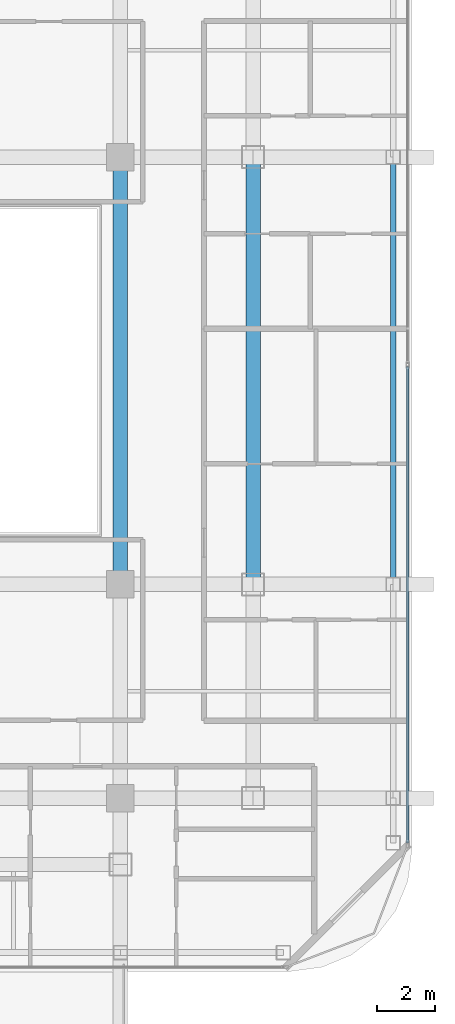
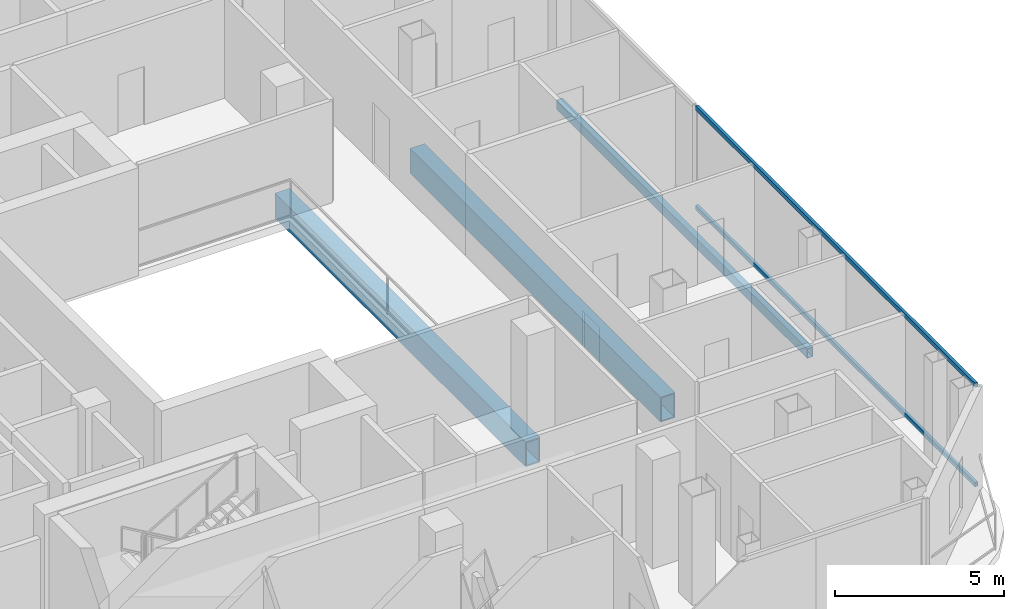
# One storey, part 9 of 25: 3 beams, 2 members, 1 element without a shape of its own.
"""IFC4 building model written with IfcOpenShell, lengths in metres."""

from ifc_helpers import new_model, si_unit, direction, frame, origin, origin_2d, place, context, subcontext, project, spatial, hollow_rectangle, extrude, material, layer, layer_set, material_profile, profile_set, type_object, element, aggregate, save


model = new_model("IFC4")

# Units and contexts
model_context = context("Model", 3, precision=1e-05, world=origin(), true_north=direction((0.0, 1.0)))
body_context = subcontext(model_context, "Body", "Model", "MODEL_VIEW")
ifc_project = project(units=[si_unit("LENGTHUNIT", "METRE"), si_unit("AREAUNIT", "SQUARE_METRE"), si_unit("VOLUMEUNIT", "CUBIC_METRE"), si_unit("PLANEANGLEUNIT", "RADIAN"), si_unit("MASSUNIT", "GRAM", prefix="KILO")], contexts=[model_context])

# Site, building, storey
site_placement = place(None, origin())
site = spatial("IfcSite", under=ifc_project, at=site_placement, CompositionType="ELEMENT")
building_placement = place(site_placement, origin())
building = spatial("IfcBuilding", under=site, at=building_placement, Name="Khorvyn Point Tower", CompositionType="ELEMENT")
storey_placement = place(building_placement, frame((0.0, 0.0, 254.699951171875)))
storey = spatial("IfcBuildingStorey", under=building, at=storey_placement, Name="L62", CompositionType="ELEMENT", Elevation=254.699951171875)

# Curtain wall, members
ifc_material_1 = material(Name="Anodised aluminium 6063-T6 and laminated Low-E glass", Category="aluminium")
ifc_layer = layer(ifc_material_1, 0.18994140625)
ifc_layer_set = layer_set([ifc_layer], Name="Stick-Built High-Wind Curtain Wall CW-SYS-04")
curtain_wall_type = type_object("IfcCurtainWallType", Name="Stick-Built High-Wind Curtain Wall CW-SYS-04", PredefinedType="NOTDEFINED", material=ifc_layer_set)
curtain_wall_placement = place(storey_placement, origin())
curtain_wall = element("IfcCurtainWall", 1, at=curtain_wall_placement, inside=storey, type_object=curtain_wall_type, Name="Curtain Wall", PredefinedType="NOTDEFINED")
ifc_material_2 = material(Name="Anodised aluminium 6063-T6", Category="aluminium")
ifc_material_profile_1 = material_profile(ifc_material_2, hollow_rectangle(XDim=0.10009765625, YDim=0.159912109375, WallThickness=0.00439453125, at=origin_2d()))
ifc_profile_set_1 = profile_set([ifc_material_profile_1], Name="Anodised aluminium 6063-T6 ALU-TRN-100x160")
member_type = type_object("IfcMemberType", Name="Anodised Aluminium 6063-T6 Transom ALU-TRN-100x160", PredefinedType="USERDEFINED", material=ifc_profile_set_1)
member_1_placement = place(storey_placement, frame((24.75, 0.14990234375, 0.050048828125), z_axis=(0.0, -1.0, 0.0), x_axis=(1.0, 0.0, 0.0)))
member_1 = element("IfcMember", 2, at=member_1_placement, type_object=member_type, Name="Transom", ObjectType="TRANSOM", PredefinedType="USERDEFINED", context=body_context, shape_type="SweptSolid", body=[
    extrude(hollow_rectangle(XDim=0.10009765625, YDim=0.159912109375, WallThickness=0.00439453125, at=origin_2d()), origin(), (0.0, 0.0, 1.0), 16.5),
])
member_2_placement = place(storey_placement, frame((24.75, 0.14990234375, 3.630126953125), z_axis=(0.0, -1.0, 0.0), x_axis=(1.0, 0.0, 0.0)))
member_2 = element("IfcMember", 3, at=member_2_placement, type_object=member_type, Name="Transom", ObjectType="TRANSOM", PredefinedType="USERDEFINED", context=body_context, shape_type="SweptSolid", body=[
    extrude(hollow_rectangle(XDim=0.10009765625, YDim=0.159912109375, WallThickness=0.00439453125, at=origin_2d()), origin(), (0.0, 0.0, 1.0), 16.5),
])
aggregate(curtain_wall, [member_1, member_2])

# Beams
ifc_material_3 = material(Name="Steel S355", Category="steel")
ifc_material_profile_2 = material_profile(ifc_material_3, hollow_rectangle(XDim=0.199951171875, YDim=0.35009765625, WallThickness=0.013916015625, at=origin_2d()))
ifc_profile_set_2 = profile_set([ifc_material_profile_2], Name="Steel S355 RHS350x200x14")
beam_type_1 = type_object("IfcBeamType", Name="Steel S355 Spandrel RHS350x200x14", PredefinedType="SPANDREL", material=ifc_profile_set_2)
beam_placement = place(storey_placement, frame((24.25, -7.39990234375, -0.454833984375), z_axis=(0.0, 1.0, 0.0), x_axis=(-1.0, 0.0, 0.0)))
element("IfcBeam", 4, at=beam_placement, inside=storey, type_object=beam_type_1, Name="Beam", PredefinedType="SPANDREL", context=body_context, shape_type="SweptSolid", body=[
    extrude(hollow_rectangle(XDim=0.199951171875, YDim=0.35009765625, WallThickness=0.013916015625, at=origin_2d()), origin(), (0.0, 0.0, 1.0), 14.7998046875),
])
ifc_material_4 = material(Name="Steel S450", Category="steel")
ifc_material_profile_3 = material_profile(ifc_material_4, hollow_rectangle(XDim=0.5, YDim=0.89990234375, WallThickness=0.0400390625, at=origin_2d()))
ifc_profile_set_3 = profile_set([ifc_material_profile_3], Name="Steel S450 BOX900x500x40")
beam_type_2 = type_object("IfcBeamType", Name="Steel S450 Beam BOX900x500x40", PredefinedType="BEAM", material=ifc_profile_set_3)
for number, where, z_axis, x_axis, name in (
    (5, (14.800048828125, -7.39990234375, -0.72998046875), (0.0, 1.0, 0.0), (-1.0, 0.0, 0.0), "L62 Radial Transfer Girder"),
    (6, (19.39990234375, -7.39990234375, -0.72998046875), (0.0, 1.0, 0.0), (-1.0, 0.0, 0.0), "Beam"),
):
    element("IfcBeam", number, at=place(storey_placement, frame(where, z_axis=z_axis, x_axis=x_axis)), inside=storey, type_object=beam_type_2, Name=name, PredefinedType="BEAM", context=body_context, shape_type="SweptSolid", body=[
        extrude(hollow_rectangle(XDim=0.5, YDim=0.89990234375, WallThickness=0.0400390625, at=origin_2d()), origin(), (0.0, 0.0, 1.0), 14.7998046875),
    ])

save(model, "model.ifc")
